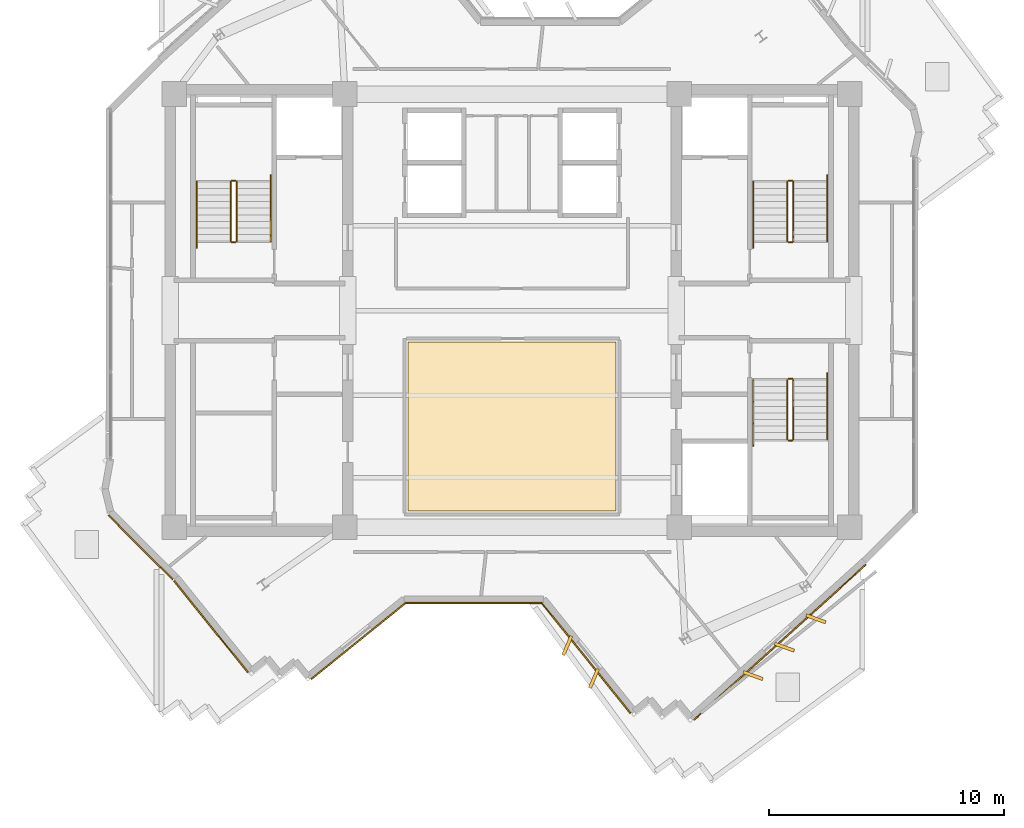
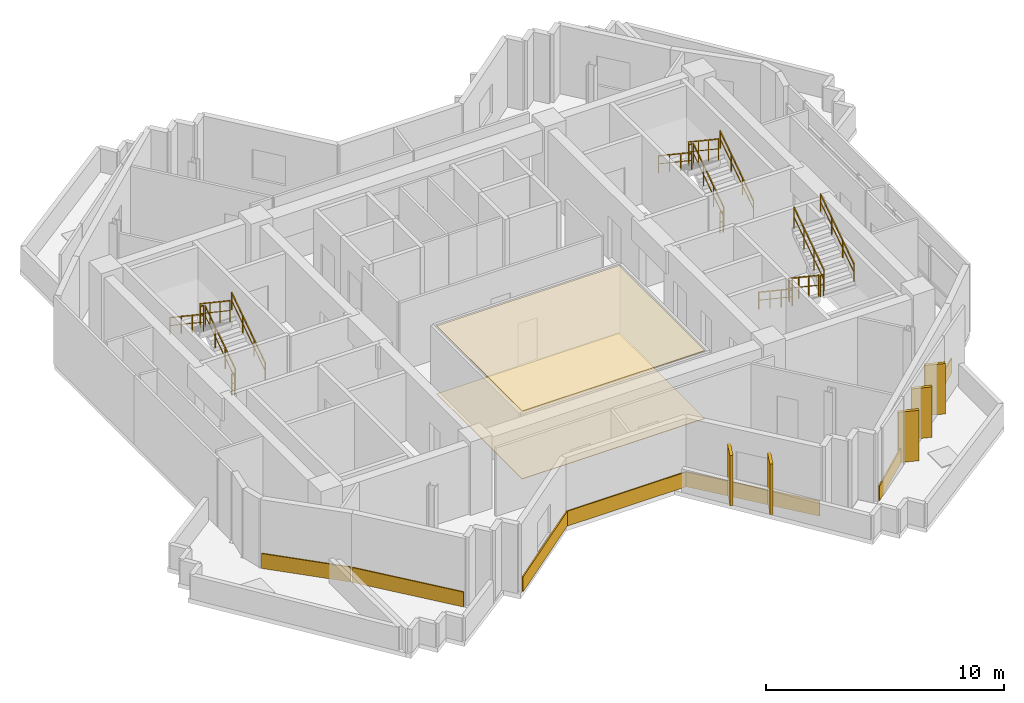
# One storey, part 11 of 12: 18 railings, 13 coverings.
"""IFC4 building model written with IfcOpenShell, lengths in metres."""

from ifc_helpers import new_model, si_unit, direction, frame, origin, origin_2d, place, context, subcontext, project, spatial, polyline, rectangle, outline, extrude, source, transform, mapped, material, layer, layer_set, type_object, element, save


model = new_model("IFC4")

# Units and contexts
model_context = context("Model", 3, precision=1e-05, world=origin(), true_north=direction((0.0, 1.0)))
body_context = subcontext(model_context, "Body", "Model", "MODEL_VIEW")
ifc_project = project(units=[si_unit("LENGTHUNIT", "METRE"), si_unit("AREAUNIT", "SQUARE_METRE"), si_unit("VOLUMEUNIT", "CUBIC_METRE"), si_unit("PLANEANGLEUNIT", "RADIAN"), si_unit("MASSUNIT", "GRAM", prefix="KILO")], contexts=[model_context])

# Site, building, storey
site_placement = place(None, origin())
site = spatial("IfcSite", under=ifc_project, at=site_placement, CompositionType="ELEMENT")
building_placement = place(site_placement, origin())
building = spatial("IfcBuilding", under=site, at=building_placement, Name="Zahravan Cultural Tower", CompositionType="ELEMENT")
storey_placement = place(building_placement, frame((0.0, 0.0, 280.35009765625)))
storey = spatial("IfcBuildingStorey", under=building, at=storey_placement, Name="L67", CompositionType="ELEMENT", Elevation=280.35009765625)

# Coverings
ifc_material_1 = material(Name="Acoustic mineral fibreboard")
ifc_layer_1 = layer(ifc_material_1, 0.0400390625)
ifc_layer_set_1 = layer_set([ifc_layer_1], Name="Acoustic mineral fibreboard")
covering_type_1 = type_object("IfcCoveringType", Name="COV-CEIL-AC20", PredefinedType="CEILING", material=ifc_layer_set_1)
covering_1_placement = place(storey_placement, frame((0.0, 0.0, 3.4599609375)))
element("IfcCovering", 1, at=covering_1_placement, inside=storey, type_object=covering_type_1, Name="L67 Acoustic Suspended Ceiling", PredefinedType="CEILING", context=body_context, shape_type="SweptSolid", body=[
    extrude(outline(polyline([(40.419921875, 25.669921875), (31.580078125, 25.669921875), (31.580078125, 18.47998046875), (40.419921875, 18.47998046875), (40.419921875, 25.669921875)])), origin(), (0.0, 0.0, 1.0), 0.0400390625),
])
ifc_material_2 = material(Name="Terrazzo flooring")
ifc_layer_2 = layer(ifc_material_2, 0.02490234375)
ifc_layer_set_2 = layer_set([ifc_layer_2], Name="Terrazzo flooring")
covering_type_2 = type_object("IfcCoveringType", Name="COV-FLR-TZ25", PredefinedType="FLOORING", material=ifc_layer_set_2)
covering_2_placement = place(storey_placement, origin())
element("IfcCovering", 2, at=covering_2_placement, inside=storey, type_object=covering_type_2, Name="L67 Polished Terrazzo Flooring", PredefinedType="FLOORING", context=body_context, shape_type="SweptSolid", body=[
    extrude(outline(polyline([(40.419921875, 25.669921875), (31.580078125, 25.669921875), (31.580078125, 18.47998046875), (40.419921875, 18.47998046875), (40.419921875, 25.669921875)])), origin(), (0.0, 0.0, 1.0), 0.02490234375),
])

# Railings
ifc_material_3 = material(Name="Steel ASTM A572 Grade 50", Category="steel")
railing_type_1 = type_object("IfcRailingType", Name="RL-STAIR-GRD1150", PredefinedType="BALUSTRADE", material=ifc_material_3)
railing_1_placement = place(storey_placement, frame((24.300048828125, 29.949951171875, 0.1875)))
element("IfcRailing", 3, at=railing_1_placement, inside=storey, type_object=railing_type_1, Name="L67 ST-W1 stair guard 1", PredefinedType="BALUSTRADE", context=body_context, shape_type="SweptSolid", body=[
    extrude(rectangle(XDim=0.05, YDim=0.05, at=origin_2d()), frame((0.0, 0.0, 1.0751953125), z_axis=(0.0, 0.830909170722, 0.55640807867), x_axis=(-1.0, 0.0, 0.0)), (0.0, 0.0, 1.0), 3.032958984375),
    extrude(rectangle(XDim=0.032, YDim=0.032, at=origin_2d()), frame((0.0, 0.0, 0.572021484375), z_axis=(0.0, 0.830909170722, 0.55640807867), x_axis=(-1.0, 0.0, 0.0)), (0.0, 0.0, 1.0), 3.032958984375),
    extrude(rectangle(XDim=0.04, YDim=0.04, at=origin_2d()), origin(), (0.0, 0.0, 1.0), 1.10009765625),
    extrude(rectangle(XDim=0.04, YDim=0.04, at=origin_2d()), frame((0.0, 0.840087890625, 0.5625)), (0.0, 0.0, 1.0), 1.10009765625),
    extrude(rectangle(XDim=0.04, YDim=0.04, at=origin_2d()), frame((0.0, 1.679931640625, 1.125)), (0.0, 0.0, 1.0), 1.10009765625),
    extrude(rectangle(XDim=0.04, YDim=0.04, at=origin_2d()), frame((0.0, 2.52001953125, 1.6875)), (0.0, 0.0, 1.0), 1.10009765625),
])
railing_2_placement = place(storey_placement, frame((24.25, 32.52001953125, 1.875)))
element("IfcRailing", 4, at=railing_2_placement, inside=storey, type_object=railing_type_1, Name="L67 ST-W1 stair guard 2", PredefinedType="BALUSTRADE", context=body_context, shape_type="SweptSolid", body=[
    extrude(rectangle(XDim=0.05, YDim=0.05, at=origin_2d()), frame((0.0, 0.0, 1.0751953125), z_axis=(-1.0, 0.0, 0.0), x_axis=(0.0, -1.0, 0.0)), (0.0, 0.0, 1.0), 0.14990234375),
    extrude(rectangle(XDim=0.032, YDim=0.032, at=origin_2d()), frame((0.0, 0.0, 0.572021484375), z_axis=(-1.0, 0.0, 0.0), x_axis=(0.0, -1.0, 0.0)), (0.0, 0.0, 1.0), 0.14990234375),
    extrude(rectangle(XDim=0.04, YDim=0.04, at=origin_2d()), origin(), (0.0, 0.0, 1.0), 1.10009765625),
    extrude(rectangle(XDim=0.04, YDim=0.04, at=origin_2d()), frame((-0.14990234375, 0.0, 0.0)), (0.0, 0.0, 1.0), 1.10009765625),
])
railing_3_placement = place(storey_placement, frame((24.050048828125, 32.469970703125, 2.0625)))
element("IfcRailing", 5, at=railing_3_placement, inside=storey, type_object=railing_type_1, Name="L67 ST-W1 stair guard 3", PredefinedType="BALUSTRADE", context=body_context, shape_type="SweptSolid", body=[
    extrude(rectangle(XDim=0.05, YDim=0.05, at=origin_2d()), frame((0.0, 0.0, 1.0751953125), z_axis=(0.0, -0.830909170722, 0.55640807867), x_axis=(1.0, 0.0, 0.0)), (0.0, 0.0, 1.0), 3.032958984375),
    extrude(rectangle(XDim=0.032, YDim=0.032, at=origin_2d()), frame((0.0, 0.0, 0.572021484375), z_axis=(0.0, -0.830909170722, 0.55640807867), x_axis=(1.0, 0.0, 0.0)), (0.0, 0.0, 1.0), 3.032958984375),
    extrude(rectangle(XDim=0.04, YDim=0.04, at=origin_2d()), origin(), (0.0, 0.0, 1.0), 1.10009765625),
    extrude(rectangle(XDim=0.04, YDim=0.04, at=origin_2d()), frame((0.0, -0.840087890625, 0.5625)), (0.0, 0.0, 1.0), 1.10009765625),
    extrude(rectangle(XDim=0.04, YDim=0.04, at=origin_2d()), frame((0.0, -1.679931640625, 1.125)), (0.0, 0.0, 1.0), 1.10009765625),
    extrude(rectangle(XDim=0.04, YDim=0.04, at=origin_2d()), frame((0.0, -2.52001953125, 1.6875)), (0.0, 0.0, 1.0), 1.10009765625),
])
railing_4_placement = place(storey_placement, frame((24.25, 29.89990234375, 0.0)))
element("IfcRailing", 6, at=railing_4_placement, inside=storey, type_object=railing_type_1, Name="L67 ST-W1 stair guard 4", PredefinedType="BALUSTRADE", context=body_context, shape_type="SweptSolid", body=[
    extrude(rectangle(XDim=0.05, YDim=0.05, at=origin_2d()), frame((0.0, 0.0, 1.0751953125), z_axis=(-1.0, 0.0, 0.0), x_axis=(0.0, -1.0, 0.0)), (0.0, 0.0, 1.0), 0.14990234375),
    extrude(rectangle(XDim=0.032, YDim=0.032, at=origin_2d()), frame((0.0, 0.0, 0.572021484375), z_axis=(-1.0, 0.0, 0.0), x_axis=(0.0, -1.0, 0.0)), (0.0, 0.0, 1.0), 0.14990234375),
    extrude(rectangle(XDim=0.04, YDim=0.04, at=origin_2d()), origin(), (0.0, 0.0, 1.0), 1.10009765625),
    extrude(rectangle(XDim=0.04, YDim=0.04, at=origin_2d()), frame((-0.14990234375, 0.0, 0.0)), (0.0, 0.0, 1.0), 1.10009765625),
])
railing_5_placement = place(storey_placement, frame((47.949951171875, 29.949951171875, 0.1875)))
element("IfcRailing", 7, at=railing_5_placement, inside=storey, type_object=railing_type_1, Name="L67 ST-E1 stair guard 1", PredefinedType="BALUSTRADE", context=body_context, shape_type="SweptSolid", body=[
    extrude(rectangle(XDim=0.05, YDim=0.05, at=origin_2d()), frame((0.0, 0.0, 1.0751953125), z_axis=(0.0, 0.830909170722, 0.55640807867), x_axis=(-1.0, 0.0, 0.0)), (0.0, 0.0, 1.0), 3.032958984375),
    extrude(rectangle(XDim=0.032, YDim=0.032, at=origin_2d()), frame((0.0, 0.0, 0.572021484375), z_axis=(0.0, 0.830909170722, 0.55640807867), x_axis=(-1.0, 0.0, 0.0)), (0.0, 0.0, 1.0), 3.032958984375),
    extrude(rectangle(XDim=0.04, YDim=0.04, at=origin_2d()), origin(), (0.0, 0.0, 1.0), 1.10009765625),
    extrude(rectangle(XDim=0.04, YDim=0.04, at=origin_2d()), frame((0.0, 0.840087890625, 0.5625)), (0.0, 0.0, 1.0), 1.10009765625),
    extrude(rectangle(XDim=0.04, YDim=0.04, at=origin_2d()), frame((0.0, 1.679931640625, 1.125)), (0.0, 0.0, 1.0), 1.10009765625),
    extrude(rectangle(XDim=0.04, YDim=0.04, at=origin_2d()), frame((0.0, 2.52001953125, 1.6875)), (0.0, 0.0, 1.0), 1.10009765625),
])
railing_6_placement = place(storey_placement, frame((47.89990234375, 32.52001953125, 1.875)))
element("IfcRailing", 8, at=railing_6_placement, inside=storey, type_object=railing_type_1, Name="L67 ST-E1 stair guard 2", PredefinedType="BALUSTRADE", context=body_context, shape_type="SweptSolid", body=[
    extrude(rectangle(XDim=0.05, YDim=0.05, at=origin_2d()), frame((0.0, 0.0, 1.0751953125), z_axis=(-1.0, 0.0, 0.0), x_axis=(0.0, -1.0, 0.0)), (0.0, 0.0, 1.0), 0.14990234375),
    extrude(rectangle(XDim=0.032, YDim=0.032, at=origin_2d()), frame((0.0, 0.0, 0.572021484375), z_axis=(-1.0, 0.0, 0.0), x_axis=(0.0, -1.0, 0.0)), (0.0, 0.0, 1.0), 0.14990234375),
    extrude(rectangle(XDim=0.04, YDim=0.04, at=origin_2d()), origin(), (0.0, 0.0, 1.0), 1.10009765625),
    extrude(rectangle(XDim=0.04, YDim=0.04, at=origin_2d()), frame((-0.14990234375, 0.0, 0.0)), (0.0, 0.0, 1.0), 1.10009765625),
])
railing_7_placement = place(storey_placement, frame((47.699951171875, 32.469970703125, 2.0625)))
element("IfcRailing", 9, at=railing_7_placement, inside=storey, type_object=railing_type_1, Name="L67 ST-E1 stair guard 3", PredefinedType="BALUSTRADE", context=body_context, shape_type="SweptSolid", body=[
    extrude(rectangle(XDim=0.05, YDim=0.05, at=origin_2d()), frame((0.0, 0.0, 1.0751953125), z_axis=(0.0, -0.830909170722, 0.55640807867), x_axis=(1.0, 0.0, 0.0)), (0.0, 0.0, 1.0), 3.032958984375),
    extrude(rectangle(XDim=0.032, YDim=0.032, at=origin_2d()), frame((0.0, 0.0, 0.572021484375), z_axis=(0.0, -0.830909170722, 0.55640807867), x_axis=(1.0, 0.0, 0.0)), (0.0, 0.0, 1.0), 3.032958984375),
    extrude(rectangle(XDim=0.04, YDim=0.04, at=origin_2d()), origin(), (0.0, 0.0, 1.0), 1.10009765625),
    extrude(rectangle(XDim=0.04, YDim=0.04, at=origin_2d()), frame((0.0, -0.840087890625, 0.5625)), (0.0, 0.0, 1.0), 1.10009765625),
    extrude(rectangle(XDim=0.04, YDim=0.04, at=origin_2d()), frame((0.0, -1.679931640625, 1.125)), (0.0, 0.0, 1.0), 1.10009765625),
    extrude(rectangle(XDim=0.04, YDim=0.04, at=origin_2d()), frame((0.0, -2.52001953125, 1.6875)), (0.0, 0.0, 1.0), 1.10009765625),
])
railing_8_placement = place(storey_placement, frame((47.89990234375, 29.89990234375, 0.0)))
element("IfcRailing", 10, at=railing_8_placement, inside=storey, type_object=railing_type_1, Name="L67 ST-E1 stair guard 4", PredefinedType="BALUSTRADE", context=body_context, shape_type="SweptSolid", body=[
    extrude(rectangle(XDim=0.05, YDim=0.05, at=origin_2d()), frame((0.0, 0.0, 1.0751953125), z_axis=(-1.0, 0.0, 0.0), x_axis=(0.0, -1.0, 0.0)), (0.0, 0.0, 1.0), 0.14990234375),
    extrude(rectangle(XDim=0.032, YDim=0.032, at=origin_2d()), frame((0.0, 0.0, 0.572021484375), z_axis=(-1.0, 0.0, 0.0), x_axis=(0.0, -1.0, 0.0)), (0.0, 0.0, 1.0), 0.14990234375),
    extrude(rectangle(XDim=0.04, YDim=0.04, at=origin_2d()), origin(), (0.0, 0.0, 1.0), 1.10009765625),
    extrude(rectangle(XDim=0.04, YDim=0.04, at=origin_2d()), frame((-0.14990234375, 0.0, 0.0)), (0.0, 0.0, 1.0), 1.10009765625),
])
railing_9_placement = place(storey_placement, frame((47.699951171875, 24.050048828125, 0.1875)))
element("IfcRailing", 11, at=railing_9_placement, inside=storey, type_object=railing_type_1, Name="L67 ST-E2 stair guard 1", PredefinedType="BALUSTRADE", context=body_context, shape_type="SweptSolid", body=[
    extrude(rectangle(XDim=0.05, YDim=0.05, at=origin_2d()), frame((0.0, 0.0, 1.0751953125), z_axis=(0.0, -0.830909170722, 0.55640807867), x_axis=(1.0, 0.0, 0.0)), (0.0, 0.0, 1.0), 3.032958984375),
    extrude(rectangle(XDim=0.032, YDim=0.032, at=origin_2d()), frame((0.0, 0.0, 0.572021484375), z_axis=(0.0, -0.830909170722, 0.55640807867), x_axis=(1.0, 0.0, 0.0)), (0.0, 0.0, 1.0), 3.032958984375),
    extrude(rectangle(XDim=0.04, YDim=0.04, at=origin_2d()), origin(), (0.0, 0.0, 1.0), 1.10009765625),
    extrude(rectangle(XDim=0.04, YDim=0.04, at=origin_2d()), frame((0.0, -0.840087890625, 0.5625)), (0.0, 0.0, 1.0), 1.10009765625),
    extrude(rectangle(XDim=0.04, YDim=0.04, at=origin_2d()), frame((0.0, -1.679931640625, 1.125)), (0.0, 0.0, 1.0), 1.10009765625),
    extrude(rectangle(XDim=0.04, YDim=0.04, at=origin_2d()), frame((0.0, -2.52001953125, 1.6875)), (0.0, 0.0, 1.0), 1.10009765625),
])
railing_10_placement = place(storey_placement, frame((47.75, 21.47998046875, 1.875)))
element("IfcRailing", 12, at=railing_10_placement, inside=storey, type_object=railing_type_1, Name="L67 ST-E2 stair guard 2", PredefinedType="BALUSTRADE", context=body_context, shape_type="SweptSolid", body=[
    extrude(rectangle(XDim=0.05, YDim=0.05, at=origin_2d()), frame((0.0, 0.0, 1.0751953125), z_axis=(1.0, 0.0, 0.0), x_axis=(0.0, 1.0, 0.0)), (0.0, 0.0, 1.0), 0.14990234375),
    extrude(rectangle(XDim=0.032, YDim=0.032, at=origin_2d()), frame((0.0, 0.0, 0.572021484375), z_axis=(1.0, 0.0, 0.0), x_axis=(0.0, 1.0, 0.0)), (0.0, 0.0, 1.0), 0.14990234375),
    extrude(rectangle(XDim=0.04, YDim=0.04, at=origin_2d()), origin(), (0.0, 0.0, 1.0), 1.10009765625),
    extrude(rectangle(XDim=0.04, YDim=0.04, at=origin_2d()), frame((0.14990234375, 0.0, 0.0)), (0.0, 0.0, 1.0), 1.10009765625),
])
railing_11_placement = place(storey_placement, frame((47.949951171875, 21.530029296875, 2.0625)))
element("IfcRailing", 13, at=railing_11_placement, inside=storey, type_object=railing_type_1, Name="L67 ST-E2 stair guard 3", PredefinedType="BALUSTRADE", context=body_context, shape_type="SweptSolid", body=[
    extrude(rectangle(XDim=0.05, YDim=0.05, at=origin_2d()), frame((0.0, 0.0, 1.0751953125), z_axis=(0.0, 0.830909170722, 0.55640807867), x_axis=(-1.0, 0.0, 0.0)), (0.0, 0.0, 1.0), 3.032958984375),
    extrude(rectangle(XDim=0.032, YDim=0.032, at=origin_2d()), frame((0.0, 0.0, 0.572021484375), z_axis=(0.0, 0.830909170722, 0.55640807867), x_axis=(-1.0, 0.0, 0.0)), (0.0, 0.0, 1.0), 3.032958984375),
    extrude(rectangle(XDim=0.04, YDim=0.04, at=origin_2d()), origin(), (0.0, 0.0, 1.0), 1.10009765625),
    extrude(rectangle(XDim=0.04, YDim=0.04, at=origin_2d()), frame((0.0, 0.840087890625, 0.5625)), (0.0, 0.0, 1.0), 1.10009765625),
    extrude(rectangle(XDim=0.04, YDim=0.04, at=origin_2d()), frame((0.0, 1.679931640625, 1.125)), (0.0, 0.0, 1.0), 1.10009765625),
    extrude(rectangle(XDim=0.04, YDim=0.04, at=origin_2d()), frame((0.0, 2.52001953125, 1.6875)), (0.0, 0.0, 1.0), 1.10009765625),
])
railing_12_placement = place(storey_placement, frame((47.75, 24.10009765625, 0.0)))
element("IfcRailing", 14, at=railing_12_placement, inside=storey, type_object=railing_type_1, Name="L67 ST-E2 stair guard 4", PredefinedType="BALUSTRADE", context=body_context, shape_type="SweptSolid", body=[
    extrude(rectangle(XDim=0.05, YDim=0.05, at=origin_2d()), frame((0.0, 0.0, 1.0751953125), z_axis=(1.0, 0.0, 0.0), x_axis=(0.0, 1.0, 0.0)), (0.0, 0.0, 1.0), 0.14990234375),
    extrude(rectangle(XDim=0.032, YDim=0.032, at=origin_2d()), frame((0.0, 0.0, 0.572021484375), z_axis=(1.0, 0.0, 0.0), x_axis=(0.0, 1.0, 0.0)), (0.0, 0.0, 1.0), 0.14990234375),
    extrude(rectangle(XDim=0.04, YDim=0.04, at=origin_2d()), origin(), (0.0, 0.0, 1.0), 1.10009765625),
    extrude(rectangle(XDim=0.04, YDim=0.04, at=origin_2d()), frame((0.14990234375, 0.0, 0.0)), (0.0, 0.0, 1.0), 1.10009765625),
])
railing_type_2 = type_object("IfcRailingType", Name="RL-STAIR-HR900", PredefinedType="HANDRAIL", material=ifc_material_3)
railing_13_placement = place(storey_placement, frame((25.75, 29.949951171875, 0.1875)))
element("IfcRailing", 15, at=railing_13_placement, inside=storey, type_object=railing_type_2, Name="L67 ST-W1 stair handrail 1", PredefinedType="HANDRAIL", context=body_context, shape_type="SweptSolid", body=[
    extrude(rectangle(XDim=0.05, YDim=0.05, at=origin_2d()), frame((0.0, 0.0, 0.875), z_axis=(0.0, 0.830911662861, 0.55640435703), x_axis=(-1.0, 0.0, 0.0)), (0.0, 0.0, 1.0), 3.369873046875),
    extrude(rectangle(XDim=0.032, YDim=0.032, at=origin_2d()), frame((0.0, 0.0, 0.468017578125), z_axis=(0.0, 0.830911662861, 0.55640435703), x_axis=(-1.0, 0.0, 0.0)), (0.0, 0.0, 1.0), 3.369873046875),
    extrude(rectangle(XDim=0.04, YDim=0.04, at=origin_2d()), origin(), (0.0, 0.0, 1.0), 0.89990234375),
    extrude(rectangle(XDim=0.04, YDim=0.04, at=origin_2d()), frame((0.0, 0.933349609375, 0.625)), (0.0, 0.0, 1.0), 0.89990234375),
    extrude(rectangle(XDim=0.04, YDim=0.04, at=origin_2d()), frame((0.0, 1.86669921875, 1.25)), (0.0, 0.0, 1.0), 0.89990234375),
    extrude(rectangle(XDim=0.04, YDim=0.04, at=origin_2d()), frame((0.0, 2.800048828125, 1.875)), (0.0, 0.0, 1.0), 0.89990234375),
])
railing_14_placement = place(storey_placement, frame((22.60009765625, 32.469970703125, 2.0625)))
element("IfcRailing", 16, at=railing_14_placement, inside=storey, type_object=railing_type_2, Name="L67 ST-W1 stair handrail 2", PredefinedType="HANDRAIL", context=body_context, shape_type="SweptSolid", body=[
    extrude(rectangle(XDim=0.05, YDim=0.05, at=origin_2d()), frame((0.0, 0.0, 0.875), z_axis=(0.0, -0.830911662861, 0.55640435703), x_axis=(1.0, 0.0, 0.0)), (0.0, 0.0, 1.0), 3.369873046875),
    extrude(rectangle(XDim=0.032, YDim=0.032, at=origin_2d()), frame((0.0, 0.0, 0.468017578125), z_axis=(0.0, -0.830911662861, 0.55640435703), x_axis=(1.0, 0.0, 0.0)), (0.0, 0.0, 1.0), 3.369873046875),
    extrude(rectangle(XDim=0.04, YDim=0.04, at=origin_2d()), origin(), (0.0, 0.0, 1.0), 0.89990234375),
    extrude(rectangle(XDim=0.04, YDim=0.04, at=origin_2d()), frame((0.0, -0.933349609375, 0.625)), (0.0, 0.0, 1.0), 0.89990234375),
    extrude(rectangle(XDim=0.04, YDim=0.04, at=origin_2d()), frame((0.0, -1.86669921875, 1.25)), (0.0, 0.0, 1.0), 0.89990234375),
    extrude(rectangle(XDim=0.04, YDim=0.04, at=origin_2d()), frame((0.0, -2.800048828125, 1.875)), (0.0, 0.0, 1.0), 0.89990234375),
])
railing_15_placement = place(storey_placement, frame((49.39990234375, 29.949951171875, 0.1875)))
element("IfcRailing", 17, at=railing_15_placement, inside=storey, type_object=railing_type_2, Name="L67 ST-E1 stair handrail 1", PredefinedType="HANDRAIL", context=body_context, shape_type="SweptSolid", body=[
    extrude(rectangle(XDim=0.05, YDim=0.05, at=origin_2d()), frame((0.0, 0.0, 0.875), z_axis=(0.0, 0.830911662861, 0.55640435703), x_axis=(-1.0, 0.0, 0.0)), (0.0, 0.0, 1.0), 3.369873046875),
    extrude(rectangle(XDim=0.032, YDim=0.032, at=origin_2d()), frame((0.0, 0.0, 0.468017578125), z_axis=(0.0, 0.830911662861, 0.55640435703), x_axis=(-1.0, 0.0, 0.0)), (0.0, 0.0, 1.0), 3.369873046875),
    extrude(rectangle(XDim=0.04, YDim=0.04, at=origin_2d()), origin(), (0.0, 0.0, 1.0), 0.89990234375),
    extrude(rectangle(XDim=0.04, YDim=0.04, at=origin_2d()), frame((0.0, 0.933349609375, 0.625)), (0.0, 0.0, 1.0), 0.89990234375),
    extrude(rectangle(XDim=0.04, YDim=0.04, at=origin_2d()), frame((0.0, 1.86669921875, 1.25)), (0.0, 0.0, 1.0), 0.89990234375),
    extrude(rectangle(XDim=0.04, YDim=0.04, at=origin_2d()), frame((0.0, 2.800048828125, 1.875)), (0.0, 0.0, 1.0), 0.89990234375),
])
for number, where, name in (
    (18, (46.25, 32.469970703125, 2.0625), "L67 ST-E1 stair handrail 2"),
    (19, (46.25, 24.050048828125, 0.1875), "L67 ST-E2 stair handrail 1"),
):
    element("IfcRailing", number, at=place(storey_placement, frame(where)), inside=storey, type_object=railing_type_2, Name=name, PredefinedType="HANDRAIL", context=body_context, shape_type="SweptSolid", body=[
        extrude(rectangle(XDim=0.05, YDim=0.05, at=origin_2d()), frame((0.0, 0.0, 0.875), z_axis=(0.0, -0.830911662861, 0.55640435703), x_axis=(1.0, 0.0, 0.0)), (0.0, 0.0, 1.0), 3.369873046875),
        extrude(rectangle(XDim=0.032, YDim=0.032, at=origin_2d()), frame((0.0, 0.0, 0.468017578125), z_axis=(0.0, -0.830911662861, 0.55640435703), x_axis=(1.0, 0.0, 0.0)), (0.0, 0.0, 1.0), 3.369873046875),
        extrude(rectangle(XDim=0.04, YDim=0.04, at=origin_2d()), origin(), (0.0, 0.0, 1.0), 0.89990234375),
        extrude(rectangle(XDim=0.04, YDim=0.04, at=origin_2d()), frame((0.0, -0.933349609375, 0.625)), (0.0, 0.0, 1.0), 0.89990234375),
        extrude(rectangle(XDim=0.04, YDim=0.04, at=origin_2d()), frame((0.0, -1.86669921875, 1.25)), (0.0, 0.0, 1.0), 0.89990234375),
        extrude(rectangle(XDim=0.04, YDim=0.04, at=origin_2d()), frame((0.0, -2.800048828125, 1.875)), (0.0, 0.0, 1.0), 0.89990234375),
    ])
railing_16_placement = place(storey_placement, frame((49.39990234375, 21.530029296875, 2.0625)))
element("IfcRailing", 20, at=railing_16_placement, inside=storey, type_object=railing_type_2, Name="L67 ST-E2 stair handrail 2", PredefinedType="HANDRAIL", context=body_context, shape_type="SweptSolid", body=[
    extrude(rectangle(XDim=0.05, YDim=0.05, at=origin_2d()), frame((0.0, 0.0, 0.875), z_axis=(0.0, 0.830911662861, 0.55640435703), x_axis=(-1.0, 0.0, 0.0)), (0.0, 0.0, 1.0), 3.369873046875),
    extrude(rectangle(XDim=0.032, YDim=0.032, at=origin_2d()), frame((0.0, 0.0, 0.468017578125), z_axis=(0.0, 0.830911662861, 0.55640435703), x_axis=(-1.0, 0.0, 0.0)), (0.0, 0.0, 1.0), 3.369873046875),
    extrude(rectangle(XDim=0.04, YDim=0.04, at=origin_2d()), origin(), (0.0, 0.0, 1.0), 0.89990234375),
    extrude(rectangle(XDim=0.04, YDim=0.04, at=origin_2d()), frame((0.0, 0.933349609375, 0.625)), (0.0, 0.0, 1.0), 0.89990234375),
    extrude(rectangle(XDim=0.04, YDim=0.04, at=origin_2d()), frame((0.0, 1.86669921875, 1.25)), (0.0, 0.0, 1.0), 0.89990234375),
    extrude(rectangle(XDim=0.04, YDim=0.04, at=origin_2d()), frame((0.0, 2.800048828125, 1.875)), (0.0, 0.0, 1.0), 0.89990234375),
])

# Coverings
ifc_material_4 = material(Name="Terracotta ceramic cladding", Category="masonry")
ifc_layer_3 = layer(ifc_material_4, 0.06005859375)
ifc_layer_set_3 = layer_set([ifc_layer_3], Name="Terracotta ceramic cladding")
covering_type_3 = type_object("IfcCoveringType", Name="COV-CLAD-TC60", PredefinedType="CLADDING", material=ifc_layer_set_3)
shared_shape_1 = source(origin(), body_context, "Body", "SweptSolid", [
    extrude(rectangle(XDim=0.8798828125, YDim=0.139892578125, at=origin_2d()), origin(), (0.0, 0.0, 1.0), 2.580078125),
])
for number, where, z_axis, x_axis, name in (
    (21, (48.9130859375, 13.90625, 0.0498046875), (0.0, 0.0, 1.0), (0.939984776614, -0.34121638257, 0.0), "L67 Herringbone Terracotta Fin 13"),
    (22, (47.57666015625, 12.70068359375, 0.0498046875), (0.0, 0.0, 1.0), (0.939984776614, -0.34121638257, 0.0), "L67 Herringbone Terracotta Fin 14"),
    (23, (46.239990234375, 11.4951171875, 0.0498046875), (0.0, 0.0, 1.0), (0.939984776614, -0.34121638257, 0.0), "L67 Herringbone Terracotta Fin 15"),
    (24, (39.482421875, 11.368408203125, 0.0498046875), (0.0, 0.0, 1.0), (-0.392064182806, -0.919937865598, 0.0), "L67 Herringbone Terracotta Fin 16"),
    (25, (38.351806640625, 12.768798828125, 0.0498046875), (0.0, 0.0, 1.0), (-0.392064182806, -0.919937865598, 0.0), "L67 Herringbone Terracotta Fin 17"),
):
    element("IfcCovering", number, at=place(storey_placement, frame(where, z_axis=z_axis, x_axis=x_axis)), inside=storey, type_object=covering_type_3, Name=name, PredefinedType="CLADDING", context=body_context, shape_type="MappedRepresentation", body=[
        mapped(shared_shape_1, transform((0.0, 0.0, 0.0), x_axis=(1.0, 0.0, 0.0), y_axis=(0.0, 1.0, 0.0), z_axis=(0.0, 0.0, 1.0), scale=1.0)),
    ])
shared_shape_2 = source(origin(), body_context, "Body", "SweptSolid", [
    extrude(rectangle(XDim=9.8349609375, YDim=0.06005859375, at=origin_2d()), origin(), (0.0, 0.0, 1.0), 0.760009765625),
])
covering_3_placement = place(storey_placement, frame((47.3857421875, 12.912353515625, 0.02001953125), z_axis=(0.0, 0.0, 1.0), x_axis=(-0.742572305706, -0.669765907462, 0.0)))
element("IfcCovering", 26, at=covering_3_placement, inside=storey, type_object=covering_type_3, Name="L67 Terracotta Spandrel Cladding 19", PredefinedType="CLADDING", context=body_context, shape_type="MappedRepresentation", body=[
    mapped(shared_shape_2, transform((0.0, 0.0, 0.0), x_axis=(1.0, 0.0, 0.0), y_axis=(0.0, 1.0, 0.0), z_axis=(0.0, 0.0, 1.0), scale=1.0)),
])
shared_shape_3 = source(origin(), body_context, "Body", "SweptSolid", [
    extrude(rectangle(XDim=6.0400390625, YDim=0.06005859375, at=origin_2d()), origin(), (0.0, 0.0, 1.0), 0.760009765625),
])
covering_4_placement = place(storey_placement, frame((39.138916015625, 12.247802734375, 0.02001953125), z_axis=(0.0, 0.0, 1.0), x_axis=(-0.628193939395, 0.778056793883, 0.0)))
element("IfcCovering", 27, at=covering_4_placement, inside=storey, type_object=covering_type_3, Name="L67 Terracotta Spandrel Cladding 24", PredefinedType="CLADDING", context=body_context, shape_type="MappedRepresentation", body=[
    mapped(shared_shape_3, transform((0.0, 0.0, 0.0), x_axis=(1.0, 0.0, 0.0), y_axis=(0.0, 1.0, 0.0), z_axis=(0.0, 0.0, 1.0), scale=1.0)),
])
shared_shape_4 = source(origin(), body_context, "Body", "SweptSolid", [
    extrude(rectangle(XDim=5.82177734375, YDim=0.06005859375, at=origin_2d()), origin(), (0.0, 0.0, 1.0), 0.760009765625),
])
covering_5_placement = place(storey_placement, frame((34.3779296875, 14.574951171875, 0.02001953125), z_axis=(0.0, 0.0, 1.0), x_axis=(-1.0, 0.0, 0.0)))
element("IfcCovering", 28, at=covering_5_placement, inside=storey, type_object=covering_type_3, Name="L67 Terracotta Spandrel Cladding 25", PredefinedType="CLADDING", context=body_context, shape_type="MappedRepresentation", body=[
    mapped(shared_shape_4, transform((0.0, 0.0, 0.0), x_axis=(1.0, 0.0, 0.0), y_axis=(0.0, 1.0, 0.0), z_axis=(0.0, 0.0, 1.0), scale=1.0)),
])
shared_shape_5 = source(origin(), body_context, "Body", "SweptSolid", [
    extrude(rectangle(XDim=5.152587890625, YDim=0.06005859375, at=origin_2d()), origin(), (0.0, 0.0, 1.0), 0.760009765625),
])
covering_6_placement = place(storey_placement, frame((29.477294921875, 12.9619140625, 0.02001953125), z_axis=(0.0, 0.0, 1.0), x_axis=(-0.778056793883, -0.628193939395, 0.0)))
element("IfcCovering", 29, at=covering_6_placement, inside=storey, type_object=covering_type_3, Name="L67 Terracotta Spandrel Cladding 26", PredefinedType="CLADDING", context=body_context, shape_type="MappedRepresentation", body=[
    mapped(shared_shape_5, transform((0.0, 0.0, 0.0), x_axis=(1.0, 0.0, 0.0), y_axis=(0.0, 1.0, 0.0), z_axis=(0.0, 0.0, 1.0), scale=1.0)),
])
shared_shape_6 = source(origin(), body_context, "Body", "SweptSolid", [
    extrude(rectangle(XDim=4.992919921875, YDim=0.06005859375, at=origin_2d()), origin(), (0.0, 0.0, 1.0), 0.760009765625),
])
covering_7_placement = place(storey_placement, frame((23.211669921875, 13.57275390625, 0.02001953125), z_axis=(0.0, 0.0, 1.0), x_axis=(-0.628193939395, 0.778056793883, 0.0)))
element("IfcCovering", 30, at=covering_7_placement, inside=storey, type_object=covering_type_3, Name="L67 Terracotta Spandrel Cladding 31", PredefinedType="CLADDING", context=body_context, shape_type="MappedRepresentation", body=[
    mapped(shared_shape_6, transform((0.0, 0.0, 0.0), x_axis=(1.0, 0.0, 0.0), y_axis=(0.0, 1.0, 0.0), z_axis=(0.0, 0.0, 1.0), scale=1.0)),
])
shared_shape_7 = source(origin(), body_context, "Body", "SweptSolid", [
    extrude(rectangle(XDim=3.860107421875, YDim=0.06005859375, at=origin_2d()), origin(), (0.0, 0.0, 1.0), 0.760009765625),
])
covering_8_placement = place(storey_placement, frame((20.223388671875, 16.941162109375, 0.02001953125), z_axis=(0.0, 0.0, 1.0), x_axis=(-0.707106781187, 0.707106781187, 0.0)))
element("IfcCovering", 31, at=covering_8_placement, inside=storey, type_object=covering_type_3, Name="L67 Terracotta Spandrel Cladding 32", PredefinedType="CLADDING", context=body_context, shape_type="MappedRepresentation", body=[
    mapped(shared_shape_7, transform((0.0, 0.0, 0.0), x_axis=(1.0, 0.0, 0.0), y_axis=(0.0, 1.0, 0.0), z_axis=(0.0, 0.0, 1.0), scale=1.0)),
])

save(model, "model.ifc")
